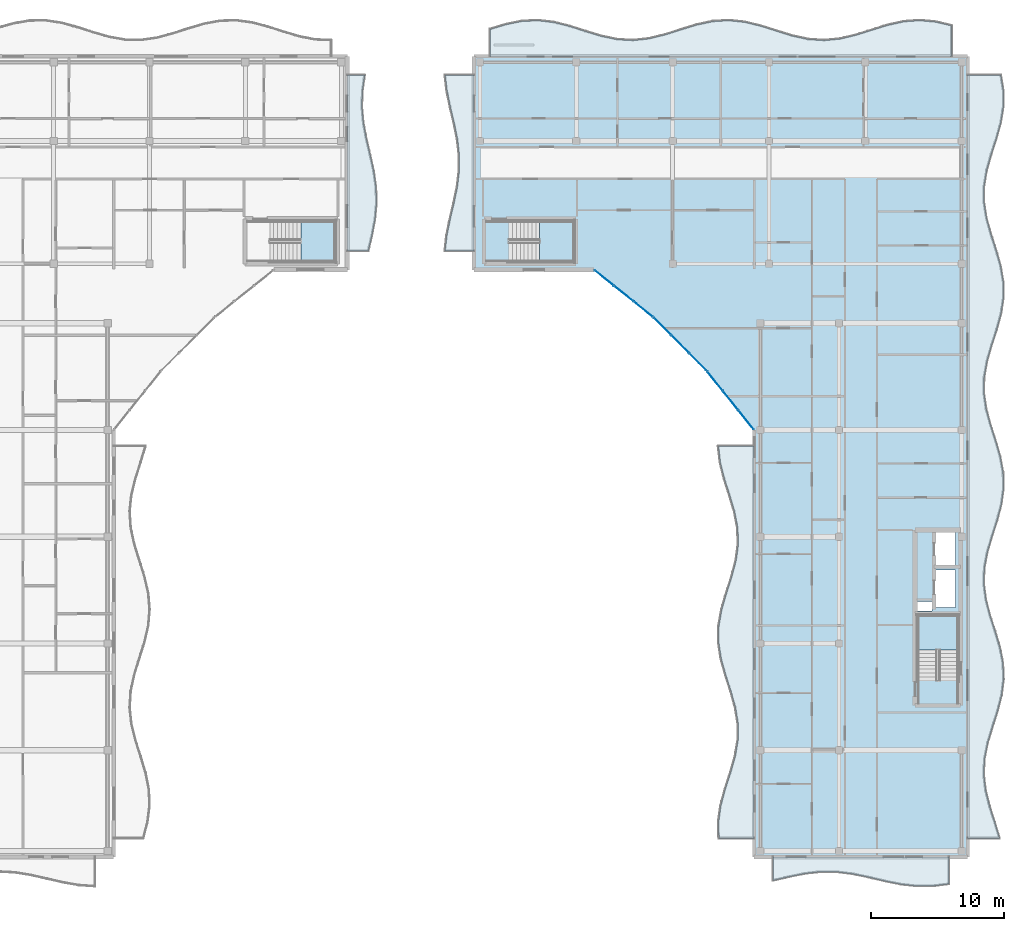
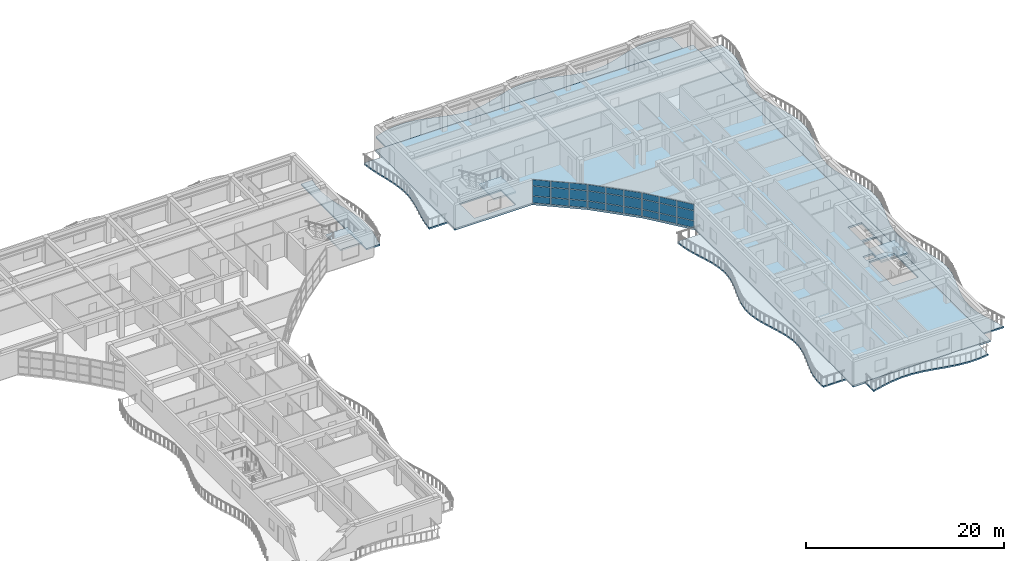
# One storey, part 27 of 68: 27 plates, 10 slabs, 6 elements without a shape of their own.
"""IFC4 building model written with IfcOpenShell, lengths in metres."""

from ifc_helpers import new_model, si_unit, direction, frame, origin, origin_2d, place, context, subcontext, project, spatial, polyline, rectangle, outline, extrude, material, layer, layer_set, type_object, element, aggregate, save


model = new_model("IFC4")

# Units and contexts
model_context = context("Model", 3, precision=1e-05, world=origin(), true_north=direction((0.0, 1.0)))
body_context = subcontext(model_context, "Body", "Model", "MODEL_VIEW")
ifc_project = project(units=[si_unit("LENGTHUNIT", "METRE"), si_unit("AREAUNIT", "SQUARE_METRE"), si_unit("VOLUMEUNIT", "CUBIC_METRE"), si_unit("PLANEANGLEUNIT", "RADIAN"), si_unit("MASSUNIT", "GRAM", prefix="KILO")], contexts=[model_context])

# Site, building, storey
site_placement = place(None, origin())
site = spatial("IfcSite", under=ifc_project, at=site_placement, CompositionType="ELEMENT")
building_placement = place(site_placement, origin())
building = spatial("IfcBuilding", under=site, at=building_placement, Name="Keldmere Railside Commons", CompositionType="ELEMENT")
storey_placement = place(building_placement, frame((0.0, 0.0, 23.360107421875)))
storey = spatial("IfcBuildingStorey", under=building, at=storey_placement, Name="L07", CompositionType="ELEMENT", Elevation=23.360107421875)

# Stair, slab
ifc_material_1 = material(Name="Concrete H-30 (C30/37)", Category="concrete")
stair_type_1 = type_object("IfcStairType", Name="Basement Garage Dogleg Escape Stair 1450", PredefinedType="HALF_TURN_STAIR", material=ifc_material_1)
stair_1_placement = place(storey_placement, origin())
stair_1 = element("IfcStair", 1, at=stair_1_placement, inside=storey, type_object=stair_type_1, Name="L07 Block B Secondary Escape Stair 2", PredefinedType="HALF_TURN_STAIR")
ifc_layer_1 = layer(ifc_material_1, 0.199951171875, Name="Enclosed Stair Landing Slab 200")
ifc_layer_set_1 = layer_set([ifc_layer_1], Name="Concrete H-30 (C30/37)")
slab_type_1 = type_object("IfcSlabType", Name="Enclosed Stair Landing Slab 200", PredefinedType="LANDING", material=ifc_layer_set_1)
slab_1_placement = place(storey_placement, frame((0.0, 0.0, 1.39990234375)))
slab_1 = element("IfcSlab", 2, at=slab_1_placement, type_object=slab_type_1, Name="ST-B2 landing 1", PredefinedType="LANDING", context=body_context, shape_type="SweptSolid", body=[
    extrude(outline(polyline([(134.02001953125, 100.60009765625), (136.60009765625, 100.60009765625), (136.60009765625, 103.64990234375), (134.02001953125, 103.64990234375), (134.02001953125, 100.60009765625)])), origin(), (0.0, 0.0, 1.0), 0.199951171875),
])
aggregate(stair_1, [slab_1])

stair_type_2 = type_object("IfcStairType", Name="Residential Core Dogleg Stair 1450", PredefinedType="HALF_TURN_STAIR", material=ifc_material_1)
stair_2_placement = place(storey_placement, origin())
stair_2 = element("IfcStair", 3, at=stair_2_placement, inside=storey, type_object=stair_type_2, Name="L07 Block A Primary Escape Stair 1", PredefinedType="HALF_TURN_STAIR")
slab_2_placement = place(storey_placement, frame((0.0, 0.0, 1.39990234375)))
slab_2 = element("IfcSlab", 4, at=slab_2_placement, type_object=slab_type_1, Name="ST-A1 landing 1", PredefinedType="LANDING", context=body_context, shape_type="SweptSolid", body=[
    extrude(outline(polyline([(183.300048828125, 71.52001953125), (183.300048828125, 74.10009765625), (180.25, 74.10009765625), (180.25, 71.52001953125), (183.300048828125, 71.52001953125)])), origin(), (0.0, 0.0, 1.0), 0.199951171875),
])
aggregate(stair_2, [slab_2])

stair_3_placement = place(storey_placement, origin())
stair_3 = element("IfcStair", 5, at=stair_3_placement, inside=storey, type_object=stair_type_2, Name="L07 Block A Secondary Escape Stair 2", PredefinedType="HALF_TURN_STAIR")
slab_3_placement = place(storey_placement, frame((0.0, 0.0, 1.39990234375)))
slab_3 = element("IfcSlab", 6, at=slab_3_placement, type_object=slab_type_1, Name="ST-A2 landing 1", PredefinedType="LANDING", context=body_context, shape_type="SweptSolid", body=[
    extrude(outline(polyline([(151.919921875, 100.60009765625), (154.5, 100.60009765625), (154.5, 103.64990234375), (151.919921875, 103.64990234375), (151.919921875, 100.60009765625)])), origin(), (0.0, 0.0, 1.0), 0.199951171875),
])
aggregate(stair_3, [slab_3])

# Curtain wall, plates
ifc_material_2 = material(Name="Thermally Broken Aluminium", Category="aluminium")
ifc_layer_2 = layer(ifc_material_2, 0.159912109375, Name="Court Chord Wintergarden CW 5400x2850")
ifc_layer_set_2 = layer_set([ifc_layer_2], Name="Thermally Broken Aluminium")
curtain_wall_type_1 = type_object("IfcCurtainWallType", Name="Court Chord Wintergarden CW 5400x2850", PredefinedType="NOTDEFINED", material=ifc_layer_set_2)
curtain_wall_1_placement = place(storey_placement, origin())
curtain_wall_1 = element("IfcCurtainWall", 7, at=curtain_wall_1_placement, inside=storey, type_object=curtain_wall_type_1, Name="CW-13 CW-L07-178", PredefinedType="NOTDEFINED")
ifc_material_3 = material(Name="Insulated Aluminium Spandrel Panel", Category="aluminium")
ifc_layer_3 = layer(ifc_material_3, 0.0439453125, Name="Insulated Ocher Spandrel Panel 44")
ifc_layer_set_3 = layer_set([ifc_layer_3], Name="Insulated Aluminium Spandrel Panel")
plate_type_1 = type_object("IfcPlateType", Name="Insulated Ocher Spandrel Panel 44", PredefinedType="CURTAIN_PANEL", material=ifc_layer_set_3)
plate_1_placement = place(storey_placement, frame((159.678955078125, 97.048583984375, 0.06494140625), z_axis=(0.0, 0.0, 1.0), x_axis=(-0.780009172323, 0.625768080915, 0.0)))
plate_1 = element("IfcPlate", 8, at=plate_1_placement, type_object=plate_type_1, Name="CW-13 panel 1.1", PredefinedType="CURTAIN_PANEL", context=body_context, shape_type="SweptSolid", body=[
    extrude(rectangle(XDim=1.795654296875, YDim=0.0439453125, at=origin_2d()), origin(), (0.0, 0.0, 1.0), 0.802490234375),
])
plate_2_placement = place(storey_placement, frame((159.678955078125, 97.048583984375, 0.932373046875), z_axis=(0.0, 0.0, 1.0), x_axis=(-0.780009172323, 0.625768080915, 0.0)))
plate_2 = element("IfcPlate", 9, at=plate_2_placement, type_object=plate_type_1, Name="CW-13 panel 1.2", PredefinedType="CURTAIN_PANEL", context=body_context, shape_type="SweptSolid", body=[
    extrude(rectangle(XDim=1.795654296875, YDim=0.0439453125, at=origin_2d()), origin(), (0.0, 0.0, 1.0), 1.18505859375),
])
plate_3_placement = place(storey_placement, frame((159.678955078125, 97.048583984375, 2.182373046875), z_axis=(0.0, 0.0, 1.0), x_axis=(-0.780009172323, 0.625768080915, 0.0)))
plate_3 = element("IfcPlate", 10, at=plate_3_placement, type_object=plate_type_1, Name="CW-13 panel 1.3", PredefinedType="CURTAIN_PANEL", context=body_context, shape_type="SweptSolid", body=[
    extrude(rectangle(XDim=1.795654296875, YDim=0.0439453125, at=origin_2d()), origin(), (0.0, 0.0, 1.0), 0.732421875),
])
plate_4_placement = place(storey_placement, frame((158.215087890625, 98.222900390625, 0.06494140625), z_axis=(0.0, 0.0, 1.0), x_axis=(-0.780009172323, 0.625768080915, 0.0)))
plate_4 = element("IfcPlate", 11, at=plate_4_placement, type_object=plate_type_1, Name="CW-13 panel 2.1", PredefinedType="CURTAIN_PANEL", context=body_context, shape_type="SweptSolid", body=[
    extrude(rectangle(XDim=1.828125, YDim=0.0439453125, at=origin_2d()), origin(), (0.0, 0.0, 1.0), 0.802490234375),
])
plate_5_placement = place(storey_placement, frame((158.215087890625, 98.222900390625, 0.932373046875), z_axis=(0.0, 0.0, 1.0), x_axis=(-0.780009172323, 0.625768080915, 0.0)))
plate_5 = element("IfcPlate", 12, at=plate_5_placement, type_object=plate_type_1, Name="CW-13 panel 2.2", PredefinedType="CURTAIN_PANEL", context=body_context, shape_type="SweptSolid", body=[
    extrude(rectangle(XDim=1.828125, YDim=0.0439453125, at=origin_2d()), origin(), (0.0, 0.0, 1.0), 1.18505859375),
])
plate_6_placement = place(storey_placement, frame((158.215087890625, 98.222900390625, 2.182373046875), z_axis=(0.0, 0.0, 1.0), x_axis=(-0.780009172323, 0.625768080915, 0.0)))
plate_6 = element("IfcPlate", 13, at=plate_6_placement, type_object=plate_type_1, Name="CW-13 panel 2.3", PredefinedType="CURTAIN_PANEL", context=body_context, shape_type="SweptSolid", body=[
    extrude(rectangle(XDim=1.828125, YDim=0.0439453125, at=origin_2d()), origin(), (0.0, 0.0, 1.0), 0.732421875),
])
plate_7_placement = place(storey_placement, frame((156.7509765625, 99.3974609375, 0.06494140625), z_axis=(0.0, 0.0, 1.0), x_axis=(-0.780009172323, 0.625768080915, 0.0)))
plate_7 = element("IfcPlate", 14, at=plate_7_placement, type_object=plate_type_1, Name="CW-13 panel 3.1", PredefinedType="CURTAIN_PANEL", context=body_context, shape_type="SweptSolid", body=[
    extrude(rectangle(XDim=1.795654296875, YDim=0.0439453125, at=origin_2d()), origin(), (0.0, 0.0, 1.0), 0.802490234375),
])
plate_8_placement = place(storey_placement, frame((156.7509765625, 99.3974609375, 0.932373046875), z_axis=(0.0, 0.0, 1.0), x_axis=(-0.780009172323, 0.625768080915, 0.0)))
plate_8 = element("IfcPlate", 15, at=plate_8_placement, type_object=plate_type_1, Name="CW-13 panel 3.2", PredefinedType="CURTAIN_PANEL", context=body_context, shape_type="SweptSolid", body=[
    extrude(rectangle(XDim=1.795654296875, YDim=0.0439453125, at=origin_2d()), origin(), (0.0, 0.0, 1.0), 1.18505859375),
])
plate_9_placement = place(storey_placement, frame((156.7509765625, 99.3974609375, 2.182373046875), z_axis=(0.0, 0.0, 1.0), x_axis=(-0.780009172323, 0.625768080915, 0.0)))
plate_9 = element("IfcPlate", 16, at=plate_9_placement, type_object=plate_type_1, Name="CW-13 panel 3.3", PredefinedType="CURTAIN_PANEL", context=body_context, shape_type="SweptSolid", body=[
    extrude(rectangle(XDim=1.795654296875, YDim=0.0439453125, at=origin_2d()), origin(), (0.0, 0.0, 1.0), 0.732421875),
])
aggregate(curtain_wall_1, [plate_1, plate_2, plate_3, plate_4, plate_5, plate_6, plate_7, plate_8, plate_9])

curtain_wall_2_placement = place(storey_placement, origin())
curtain_wall_2 = element("IfcCurtainWall", 17, at=curtain_wall_2_placement, inside=storey, type_object=curtain_wall_type_1, Name="CW-13 CW-L07-180", PredefinedType="NOTDEFINED")
plate_10_placement = place(storey_placement, frame((167.3974609375, 88.7509765625, 0.06494140625), z_axis=(0.0, 0.0, 1.0), x_axis=(-0.625768080915, 0.780009172323, 0.0)))
plate_10 = element("IfcPlate", 18, at=plate_10_placement, type_object=plate_type_1, Name="CW-13 panel 1.1", PredefinedType="CURTAIN_PANEL", context=body_context, shape_type="SweptSolid", body=[
    extrude(rectangle(XDim=1.795654296875, YDim=0.0439453125, at=origin_2d()), origin(), (0.0, 0.0, 1.0), 0.802490234375),
])
plate_11_placement = place(storey_placement, frame((167.3974609375, 88.7509765625, 0.932373046875), z_axis=(0.0, 0.0, 1.0), x_axis=(-0.625768080915, 0.780009172323, 0.0)))
plate_11 = element("IfcPlate", 19, at=plate_11_placement, type_object=plate_type_1, Name="CW-13 panel 1.2", PredefinedType="CURTAIN_PANEL", context=body_context, shape_type="SweptSolid", body=[
    extrude(rectangle(XDim=1.795654296875, YDim=0.0439453125, at=origin_2d()), origin(), (0.0, 0.0, 1.0), 1.18505859375),
])
plate_12_placement = place(storey_placement, frame((167.3974609375, 88.7509765625, 2.182373046875), z_axis=(0.0, 0.0, 1.0), x_axis=(-0.625768080915, 0.780009172323, 0.0)))
plate_12 = element("IfcPlate", 20, at=plate_12_placement, type_object=plate_type_1, Name="CW-13 panel 1.3", PredefinedType="CURTAIN_PANEL", context=body_context, shape_type="SweptSolid", body=[
    extrude(rectangle(XDim=1.795654296875, YDim=0.0439453125, at=origin_2d()), origin(), (0.0, 0.0, 1.0), 0.732421875),
])
plate_13_placement = place(storey_placement, frame((166.222900390625, 90.215087890625, 0.06494140625), z_axis=(0.0, 0.0, 1.0), x_axis=(-0.625768080915, 0.780009172323, 0.0)))
plate_13 = element("IfcPlate", 21, at=plate_13_placement, type_object=plate_type_1, Name="CW-13 panel 2.1", PredefinedType="CURTAIN_PANEL", context=body_context, shape_type="SweptSolid", body=[
    extrude(rectangle(XDim=1.828125, YDim=0.0439453125, at=origin_2d()), origin(), (0.0, 0.0, 1.0), 0.802490234375),
])
plate_14_placement = place(storey_placement, frame((166.222900390625, 90.215087890625, 0.932373046875), z_axis=(0.0, 0.0, 1.0), x_axis=(-0.625768080915, 0.780009172323, 0.0)))
plate_14 = element("IfcPlate", 22, at=plate_14_placement, type_object=plate_type_1, Name="CW-13 panel 2.2", PredefinedType="CURTAIN_PANEL", context=body_context, shape_type="SweptSolid", body=[
    extrude(rectangle(XDim=1.828125, YDim=0.0439453125, at=origin_2d()), origin(), (0.0, 0.0, 1.0), 1.18505859375),
])
plate_15_placement = place(storey_placement, frame((166.222900390625, 90.215087890625, 2.182373046875), z_axis=(0.0, 0.0, 1.0), x_axis=(-0.625768080915, 0.780009172323, 0.0)))
plate_15 = element("IfcPlate", 23, at=plate_15_placement, type_object=plate_type_1, Name="CW-13 panel 2.3", PredefinedType="CURTAIN_PANEL", context=body_context, shape_type="SweptSolid", body=[
    extrude(rectangle(XDim=1.828125, YDim=0.0439453125, at=origin_2d()), origin(), (0.0, 0.0, 1.0), 0.732421875),
])
plate_16_placement = place(storey_placement, frame((165.048583984375, 91.678955078125, 0.06494140625), z_axis=(0.0, 0.0, 1.0), x_axis=(-0.625768080915, 0.780009172323, 0.0)))
plate_16 = element("IfcPlate", 24, at=plate_16_placement, type_object=plate_type_1, Name="CW-13 panel 3.1", PredefinedType="CURTAIN_PANEL", context=body_context, shape_type="SweptSolid", body=[
    extrude(rectangle(XDim=1.795654296875, YDim=0.0439453125, at=origin_2d()), origin(), (0.0, 0.0, 1.0), 0.802490234375),
])
plate_17_placement = place(storey_placement, frame((165.048583984375, 91.678955078125, 0.932373046875), z_axis=(0.0, 0.0, 1.0), x_axis=(-0.625768080915, 0.780009172323, 0.0)))
plate_17 = element("IfcPlate", 25, at=plate_17_placement, type_object=plate_type_1, Name="CW-13 panel 3.2", PredefinedType="CURTAIN_PANEL", context=body_context, shape_type="SweptSolid", body=[
    extrude(rectangle(XDim=1.795654296875, YDim=0.0439453125, at=origin_2d()), origin(), (0.0, 0.0, 1.0), 1.18505859375),
])
plate_18_placement = place(storey_placement, frame((165.048583984375, 91.678955078125, 2.182373046875), z_axis=(0.0, 0.0, 1.0), x_axis=(-0.625768080915, 0.780009172323, 0.0)))
plate_18 = element("IfcPlate", 26, at=plate_18_placement, type_object=plate_type_1, Name="CW-13 panel 3.3", PredefinedType="CURTAIN_PANEL", context=body_context, shape_type="SweptSolid", body=[
    extrude(rectangle(XDim=1.795654296875, YDim=0.0439453125, at=origin_2d()), origin(), (0.0, 0.0, 1.0), 0.732421875),
])
aggregate(curtain_wall_2, [plate_10, plate_11, plate_12, plate_13, plate_14, plate_15, plate_16, plate_17, plate_18])

ifc_layer_4 = layer(ifc_material_2, 0.159912109375, Name="Court Chord Wintergarden CW 4800x2850")
ifc_layer_set_4 = layer_set([ifc_layer_4], Name="Thermally Broken Aluminium")
curtain_wall_type_2 = type_object("IfcCurtainWallType", Name="Court Chord Wintergarden CW 4800x2850", PredefinedType="NOTDEFINED", material=ifc_layer_set_4)
curtain_wall_3_placement = place(storey_placement, origin())
curtain_wall_3 = element("IfcCurtainWall", 27, at=curtain_wall_3_placement, inside=storey, type_object=curtain_wall_type_2, Name="CW-12 CW-L07-179", PredefinedType="NOTDEFINED")
ifc_layer_5 = layer(ifc_material_3, 0.050048828125, Name="Insulated Terracotta Spandrel Panel 50")
ifc_layer_set_5 = layer_set([ifc_layer_5], Name="Insulated Aluminium Spandrel Panel")
plate_type_2 = type_object("IfcPlateType", Name="Insulated Terracotta Spandrel Panel 50", PredefinedType="CURTAIN_PANEL", material=ifc_layer_set_5)
plate_19_placement = place(storey_placement, frame((163.76513671875, 93.11083984375, 0.06494140625), z_axis=(0.0, 0.0, 1.0), x_axis=(-0.707106781187, 0.707106781187, 0.0)))
plate_19 = element("IfcPlate", 28, at=plate_19_placement, type_object=plate_type_2, Name="CW-12 panel 1.1", PredefinedType="CURTAIN_PANEL", context=body_context, shape_type="SweptSolid", body=[
    extrude(rectangle(XDim=1.795654296875, YDim=0.050048828125, at=origin_2d()), origin(), (0.0, 0.0, 1.0), 0.802490234375),
])
plate_20_placement = place(storey_placement, frame((163.76513671875, 93.11083984375, 0.932373046875), z_axis=(0.0, 0.0, 1.0), x_axis=(-0.707106781187, 0.707106781187, 0.0)))
plate_20 = element("IfcPlate", 29, at=plate_20_placement, type_object=plate_type_2, Name="CW-12 panel 1.2", PredefinedType="CURTAIN_PANEL", context=body_context, shape_type="SweptSolid", body=[
    extrude(rectangle(XDim=1.795654296875, YDim=0.050048828125, at=origin_2d()), origin(), (0.0, 0.0, 1.0), 1.18505859375),
])
plate_21_placement = place(storey_placement, frame((163.76513671875, 93.11083984375, 2.182373046875), z_axis=(0.0, 0.0, 1.0), x_axis=(-0.707106781187, 0.707106781187, 0.0)))
plate_21 = element("IfcPlate", 30, at=plate_21_placement, type_object=plate_type_2, Name="CW-12 panel 1.3", PredefinedType="CURTAIN_PANEL", context=body_context, shape_type="SweptSolid", body=[
    extrude(rectangle(XDim=1.795654296875, YDim=0.050048828125, at=origin_2d()), origin(), (0.0, 0.0, 1.0), 0.732421875),
])
plate_22_placement = place(storey_placement, frame((162.43798828125, 94.43798828125, 0.06494140625), z_axis=(0.0, 0.0, 1.0), x_axis=(-0.707106781187, 0.707106781187, 0.0)))
plate_22 = element("IfcPlate", 31, at=plate_22_placement, type_object=plate_type_2, Name="CW-12 panel 2.1", PredefinedType="CURTAIN_PANEL", context=body_context, shape_type="SweptSolid", body=[
    extrude(rectangle(XDim=1.828125, YDim=0.050048828125, at=origin_2d()), origin(), (0.0, 0.0, 1.0), 0.802490234375),
])
plate_23_placement = place(storey_placement, frame((162.43798828125, 94.43798828125, 0.932373046875), z_axis=(0.0, 0.0, 1.0), x_axis=(-0.707106781187, 0.707106781187, 0.0)))
plate_23 = element("IfcPlate", 32, at=plate_23_placement, type_object=plate_type_2, Name="CW-12 panel 2.2", PredefinedType="CURTAIN_PANEL", context=body_context, shape_type="SweptSolid", body=[
    extrude(rectangle(XDim=1.828125, YDim=0.050048828125, at=origin_2d()), origin(), (0.0, 0.0, 1.0), 1.18505859375),
])
plate_24_placement = place(storey_placement, frame((162.43798828125, 94.43798828125, 2.182373046875), z_axis=(0.0, 0.0, 1.0), x_axis=(-0.707106781187, 0.707106781187, 0.0)))
plate_24 = element("IfcPlate", 33, at=plate_24_placement, type_object=plate_type_2, Name="CW-12 panel 2.3", PredefinedType="CURTAIN_PANEL", context=body_context, shape_type="SweptSolid", body=[
    extrude(rectangle(XDim=1.828125, YDim=0.050048828125, at=origin_2d()), origin(), (0.0, 0.0, 1.0), 0.732421875),
])
plate_25_placement = place(storey_placement, frame((161.11083984375, 95.76513671875, 0.06494140625), z_axis=(0.0, 0.0, 1.0), x_axis=(-0.707106781187, 0.707106781187, 0.0)))
plate_25 = element("IfcPlate", 34, at=plate_25_placement, type_object=plate_type_2, Name="CW-12 panel 3.1", PredefinedType="CURTAIN_PANEL", context=body_context, shape_type="SweptSolid", body=[
    extrude(rectangle(XDim=1.795654296875, YDim=0.050048828125, at=origin_2d()), origin(), (0.0, 0.0, 1.0), 0.802490234375),
])
plate_26_placement = place(storey_placement, frame((161.11083984375, 95.76513671875, 0.932373046875), z_axis=(0.0, 0.0, 1.0), x_axis=(-0.707106781187, 0.707106781187, 0.0)))
plate_26 = element("IfcPlate", 35, at=plate_26_placement, type_object=plate_type_2, Name="CW-12 panel 3.2", PredefinedType="CURTAIN_PANEL", context=body_context, shape_type="SweptSolid", body=[
    extrude(rectangle(XDim=1.795654296875, YDim=0.050048828125, at=origin_2d()), origin(), (0.0, 0.0, 1.0), 1.18505859375),
])
plate_27_placement = place(storey_placement, frame((161.11083984375, 95.76513671875, 2.182373046875), z_axis=(0.0, 0.0, 1.0), x_axis=(-0.707106781187, 0.707106781187, 0.0)))
plate_27 = element("IfcPlate", 36, at=plate_27_placement, type_object=plate_type_2, Name="CW-12 panel 3.3", PredefinedType="CURTAIN_PANEL", context=body_context, shape_type="SweptSolid", body=[
    extrude(rectangle(XDim=1.795654296875, YDim=0.050048828125, at=origin_2d()), origin(), (0.0, 0.0, 1.0), 0.732421875),
])
aggregate(curtain_wall_3, [plate_19, plate_20, plate_21, plate_22, plate_23, plate_24, plate_25, plate_26, plate_27])

# Slabs
ifc_layer_6 = layer(ifc_material_1, 0.219970703125, Name="Residential Flat Slab 220")
ifc_layer_set_6 = layer_set([ifc_layer_6], Name="Concrete H-30 (C30/37)")
slab_type_2 = type_object("IfcSlabType", Name="Residential Flat Slab 220", PredefinedType="FLOOR", material=ifc_layer_set_6)
slab_4_placement = place(storey_placement, frame((0.0, 0.0, -0.22021484375)))
element("IfcSlab", 37, at=slab_4_placement, inside=storey, type_object=slab_type_2, Name="FS-2 BLKA-L07-060", PredefinedType="FLOOR", context=body_context, shape_type="SweptSolid", body=[
    extrude(outline(polyline([(168.0, 56.0), (184.0, 56.0), (184.0, 116.0), (147.0, 116.0), (147.0, 100.0), (156.0, 100.0), (160.429931640625, 96.446044921875), (164.446044921875, 92.429931640625), (168.0, 88.0), (168.0, 56.0)]), holes=[polyline([(183.27490234375, 69.22509765625), (180.27490234375, 69.22509765625), (180.27490234375, 74.074951171875), (183.27490234375, 74.074951171875), (183.27490234375, 69.22509765625)]), polyline([(180.219970703125, 74.419921875), (180.219970703125, 75.159912109375), (181.320068359375, 75.159912109375), (181.320068359375, 74.419921875), (180.219970703125, 74.419921875)]), polyline([(183.10009765625, 74.699951171875), (181.5, 74.699951171875), (181.5, 77.5), (183.10009765625, 77.5), (183.10009765625, 74.699951171875)]), polyline([(183.10009765625, 77.75), (181.5, 77.75), (181.5, 80.39990234375), (183.10009765625, 80.39990234375), (183.10009765625, 77.75)]), polyline([(149.625, 103.625), (154.47509765625, 103.625), (154.47509765625, 100.625), (149.625, 100.625), (149.625, 103.625)])]), origin(), (0.0, 0.0, 1.0), 0.22021484375),
])
ifc_material_4 = material(Name="White Precast Concrete H-35 (C35/45)", Category="concrete")
ifc_layer_7 = layer(ifc_material_4, 0.179931640625, Name="Sinusoidal Wave Balcony Slab 180")
ifc_layer_set_7 = layer_set([ifc_layer_7], Name="White Precast Concrete H-35 (C35/45)")
slab_type_3 = type_object("IfcSlabType", Name="Sinusoidal Wave Balcony Slab 180", PredefinedType="FLOOR", material=ifc_layer_set_7)
slab_5_placement = place(storey_placement, frame((0.0, 0.0, -0.18017578125)))
element("IfcSlab", 38, at=slab_5_placement, inside=storey, type_object=slab_type_3, Name="WB-1 B L07 WE Wave Balcony", PredefinedType="FLOOR", context=body_context, shape_type="SweptSolid", body=[
    extrude(outline(polyline([(139.076904296875, 101.39990234375), (139.359375, 102.60009765625), (139.585693359375, 103.800048828125), (139.695068359375, 105.0), (139.65869140625, 106.199951171875), (139.48583984375, 107.39990234375), (139.222900390625, 108.60009765625), (138.940673828125, 109.800048828125), (138.71435546875, 111.0), (138.60498046875, 112.199951171875), (138.641357421875, 113.39990234375), (138.814208984375, 114.60009765625), (137.5, 114.60009765625), (137.5, 113.39990234375), (137.5, 112.199951171875), (137.5, 111.0), (137.5, 109.800048828125), (137.5, 108.60009765625), (137.5, 107.39990234375), (137.5, 106.199951171875), (137.5, 105.0), (137.5, 103.800048828125), (137.5, 102.60009765625), (137.5, 101.39990234375), (139.076904296875, 101.39990234375)])), origin(), (0.0, 0.0, 1.0), 0.18017578125),
])
slab_6_placement = place(storey_placement, frame((0.0, 0.0, -0.18017578125)))
element("IfcSlab", 39, at=slab_6_placement, inside=storey, type_object=slab_type_3, Name="WB-1 A L07 N Wave Balcony", PredefinedType="FLOOR", context=body_context, shape_type="SweptSolid", body=[
    extrude(outline(polyline([(148.199951171875, 116.0), (149.39306640625, 116.0), (150.586181640625, 116.0), (151.779296875, 116.0), (152.972412109375, 116.0), (154.16552734375, 116.0), (155.358642578125, 116.0), (156.5517578125, 116.0), (157.744873046875, 116.0), (158.93798828125, 116.0), (160.131103515625, 116.0), (161.32421875, 116.0), (162.51708984375, 116.0), (163.710205078125, 116.0), (164.9033203125, 116.0), (166.0966796875, 116.0), (167.289794921875, 116.0), (168.48291015625, 116.0), (169.67578125, 116.0), (170.868896484375, 116.0), (172.06201171875, 116.0), (173.255126953125, 116.0), (174.4482421875, 116.0), (175.641357421875, 116.0), (176.83447265625, 116.0), (178.027587890625, 116.0), (179.220703125, 116.0), (180.413818359375, 116.0), (181.60693359375, 116.0), (182.800048828125, 116.0), (182.800048828125, 118.3056640625), (181.60693359375, 118.5869140625), (180.413818359375, 118.699462890625), (179.220703125, 118.613525390625), (178.027587890625, 118.351806640625), (176.83447265625, 117.9833984375), (175.641357421875, 117.606201171875), (174.4482421875, 117.3203125), (173.255126953125, 117.201171875), (172.06201171875, 117.2802734375), (170.868896484375, 117.536865234375), (169.67578125, 117.903076171875), (168.48291015625, 118.281494140625), (167.289794921875, 118.572265625), (166.0966796875, 118.697998046875), (164.9033203125, 118.625732421875), (163.710205078125, 118.374267578125), (162.51708984375, 118.010498046875), (161.32421875, 117.630615234375), (160.131103515625, 117.33544921875), (158.93798828125, 117.202880859375), (157.744873046875, 117.2685546875), (156.5517578125, 117.5146484375), (155.358642578125, 117.876220703125), (154.16552734375, 118.257080078125), (152.972412109375, 118.556640625), (151.779296875, 118.695556640625), (150.586181640625, 118.636962890625), (149.39306640625, 118.396240234375), (148.199951171875, 118.037353515625), (148.199951171875, 116.0)])), origin(), (0.0, 0.0, 1.0), 0.18017578125),
])
slab_7_placement = place(storey_placement, frame((0.0, 0.0, -0.18017578125)))
element("IfcSlab", 40, at=slab_7_placement, inside=storey, type_object=slab_type_3, Name="WB-1 A L07 CW Wave Balcony", PredefinedType="FLOOR", context=body_context, shape_type="SweptSolid", body=[
    extrude(outline(polyline([(168.0, 57.39990234375), (168.0, 58.625), (168.0, 59.85009765625), (168.0, 61.074951171875), (168.0, 62.300048828125), (168.0, 63.52490234375), (168.0, 64.75), (168.0, 65.97509765625), (168.0, 67.199951171875), (168.0, 68.425048828125), (168.0, 69.64990234375), (168.0, 70.875), (168.0, 72.10009765625), (168.0, 73.324951171875), (168.0, 74.550048828125), (168.0, 75.77490234375), (168.0, 77.0), (168.0, 78.22509765625), (168.0, 79.449951171875), (168.0, 80.675048828125), (168.0, 81.89990234375), (168.0, 83.125), (168.0, 84.35009765625), (168.0, 85.574951171875), (168.0, 86.800048828125), (165.30322265625, 86.800048828125), (165.4423828125, 85.574951171875), (165.751220703125, 84.35009765625), (166.143310546875, 83.125), (166.509521484375, 81.89990234375), (166.747314453125, 80.675048828125), (166.790771484375, 79.449951171875), (166.62744140625, 78.22509765625), (166.302978515625, 77.0), (165.908203125, 75.77490234375), (165.552734375, 74.550048828125), (165.336181640625, 73.324951171875), (165.318603515625, 72.10009765625), (165.505126953125, 70.875), (165.84375, 69.64990234375), (166.23974609375, 68.425048828125), (166.5830078125, 67.199951171875), (166.77734375, 65.97509765625), (166.76904296875, 64.75), (166.56005859375, 63.52490234375), (166.208740234375, 62.300048828125), (165.813232421875, 61.074951171875), (165.483642578125, 59.85009765625), (165.312255859375, 58.625), (165.346435546875, 57.39990234375), (168.0, 57.39990234375)])), origin(), (0.0, 0.0, 1.0), 0.18017578125),
])
slab_8_placement = place(storey_placement, frame((0.0, 0.0, -0.18017578125)))
element("IfcSlab", 41, at=slab_8_placement, inside=storey, type_object=slab_type_3, Name="WB-1 A L07 CE Wave Balcony", PredefinedType="FLOOR", context=body_context, shape_type="SweptSolid", body=[
    extrude(outline(polyline([(186.388671875, 57.39990234375), (186.028564453125, 58.591796875), (185.6474609375, 59.783203125), (185.346435546875, 60.97509765625), (185.205078125, 62.166748046875), (185.260498046875, 63.3583984375), (185.498046875, 64.550048828125), (185.855224609375, 65.74169921875), (186.2373046875, 66.933349609375), (186.543701171875, 68.125), (186.69287109375, 69.316650390625), (186.645751953125, 70.50830078125), (186.414794921875, 71.699951171875), (186.060791015625, 72.8916015625), (185.677734375, 74.083251953125), (185.366455078125, 75.27490234375), (185.20947265625, 76.466796875), (185.248291015625, 77.658203125), (185.472412109375, 78.85009765625), (185.822998046875, 80.041748046875), (186.20703125, 81.2333984375), (186.523193359375, 82.425048828125), (186.687744140625, 83.61669921875), (186.657470703125, 84.808349609375), (186.43994140625, 86.0), (186.09326171875, 87.191650390625), (185.70849609375, 88.38330078125), (185.3876953125, 89.574951171875), (185.21533203125, 90.7666015625), (185.2373046875, 91.958251953125), (185.44775390625, 93.14990234375), (185.790771484375, 94.341796875), (186.176025390625, 95.533203125), (186.50146484375, 96.72509765625), (186.68115234375, 97.916748046875), (186.66748046875, 99.1083984375), (186.46435546875, 100.300048828125), (186.125, 101.49169921875), (185.73974609375, 102.683349609375), (185.409912109375, 103.875), (185.22265625, 105.066650390625), (185.227783203125, 106.25830078125), (185.423828125, 107.449951171875), (185.759033203125, 108.6416015625), (186.14453125, 109.833251953125), (186.478759765625, 111.02490234375), (186.673095703125, 112.216796875), (186.676513671875, 113.408203125), (186.48779296875, 114.60009765625), (184.0, 114.60009765625), (184.0, 113.408203125), (184.0, 112.216796875), (184.0, 111.02490234375), (184.0, 109.833251953125), (184.0, 108.6416015625), (184.0, 107.449951171875), (184.0, 106.25830078125), (184.0, 105.066650390625), (184.0, 103.875), (184.0, 102.683349609375), (184.0, 101.49169921875), (184.0, 100.300048828125), (184.0, 99.1083984375), (184.0, 97.916748046875), (184.0, 96.72509765625), (184.0, 95.533203125), (184.0, 94.341796875), (184.0, 93.14990234375), (184.0, 91.958251953125), (184.0, 90.7666015625), (184.0, 89.574951171875), (184.0, 88.38330078125), (184.0, 87.191650390625), (184.0, 86.0), (184.0, 84.808349609375), (184.0, 83.61669921875), (184.0, 82.425048828125), (184.0, 81.2333984375), (184.0, 80.041748046875), (184.0, 78.85009765625), (184.0, 77.658203125), (184.0, 76.466796875), (184.0, 75.27490234375), (184.0, 74.083251953125), (184.0, 72.8916015625), (184.0, 71.699951171875), (184.0, 70.50830078125), (184.0, 69.316650390625), (184.0, 68.125), (184.0, 66.933349609375), (184.0, 65.74169921875), (184.0, 64.550048828125), (184.0, 63.3583984375), (184.0, 62.166748046875), (184.0, 60.97509765625), (184.0, 59.783203125), (184.0, 58.591796875), (184.0, 57.39990234375), (186.388671875, 57.39990234375)])), origin(), (0.0, 0.0, 1.0), 0.18017578125),
])
slab_9_placement = place(storey_placement, frame((0.0, 0.0, -0.18017578125)))
element("IfcSlab", 42, at=slab_9_placement, inside=storey, type_object=slab_type_3, Name="WB-1 A L07 WW Wave Balcony", PredefinedType="FLOOR", context=body_context, shape_type="SweptSolid", body=[
    extrude(outline(polyline([(147.0, 101.39990234375), (147.0, 102.60009765625), (147.0, 103.800048828125), (147.0, 105.0), (147.0, 106.199951171875), (147.0, 107.39990234375), (147.0, 108.60009765625), (147.0, 109.800048828125), (147.0, 111.0), (147.0, 112.199951171875), (147.0, 113.39990234375), (147.0, 114.60009765625), (144.821044921875, 114.60009765625), (144.96728515625, 113.39990234375), (145.216064453125, 112.199951171875), (145.500732421875, 111.0), (145.7451171875, 109.800048828125), (145.88330078125, 108.60009765625), (145.87890625, 107.39990234375), (145.732666015625, 106.199951171875), (145.48388671875, 105.0), (145.19921875, 103.800048828125), (144.955078125, 102.60009765625), (144.816650390625, 101.39990234375), (147.0, 101.39990234375)])), origin(), (0.0, 0.0, 1.0), 0.18017578125),
])
slab_10_placement = place(storey_placement, frame((0.0, 0.0, -0.18017578125)))
element("IfcSlab", 43, at=slab_10_placement, inside=storey, type_object=slab_type_3, Name="WB-1 A L07 S Wave Balcony", PredefinedType="FLOOR", context=body_context, shape_type="SweptSolid", body=[
    extrude(outline(polyline([(169.39990234375, 54.227294921875), (170.60009765625, 54.511962890625), (171.800048828125, 54.7529296875), (173.0, 54.88623046875), (174.199951171875, 54.87548828125), (175.39990234375, 54.72412109375), (176.60009765625, 54.47265625), (177.800048828125, 54.18798828125), (179.0, 53.947021484375), (180.199951171875, 53.813720703125), (181.39990234375, 53.824462890625), (182.60009765625, 53.975830078125), (182.60009765625, 56.0), (181.39990234375, 56.0), (180.199951171875, 56.0), (179.0, 56.0), (177.800048828125, 56.0), (176.60009765625, 56.0), (175.39990234375, 56.0), (174.199951171875, 56.0), (173.0, 56.0), (171.800048828125, 56.0), (170.60009765625, 56.0), (169.39990234375, 56.0), (169.39990234375, 54.227294921875)])), origin(), (0.0, 0.0, 1.0), 0.18017578125),
])

save(model, "model.ifc")
